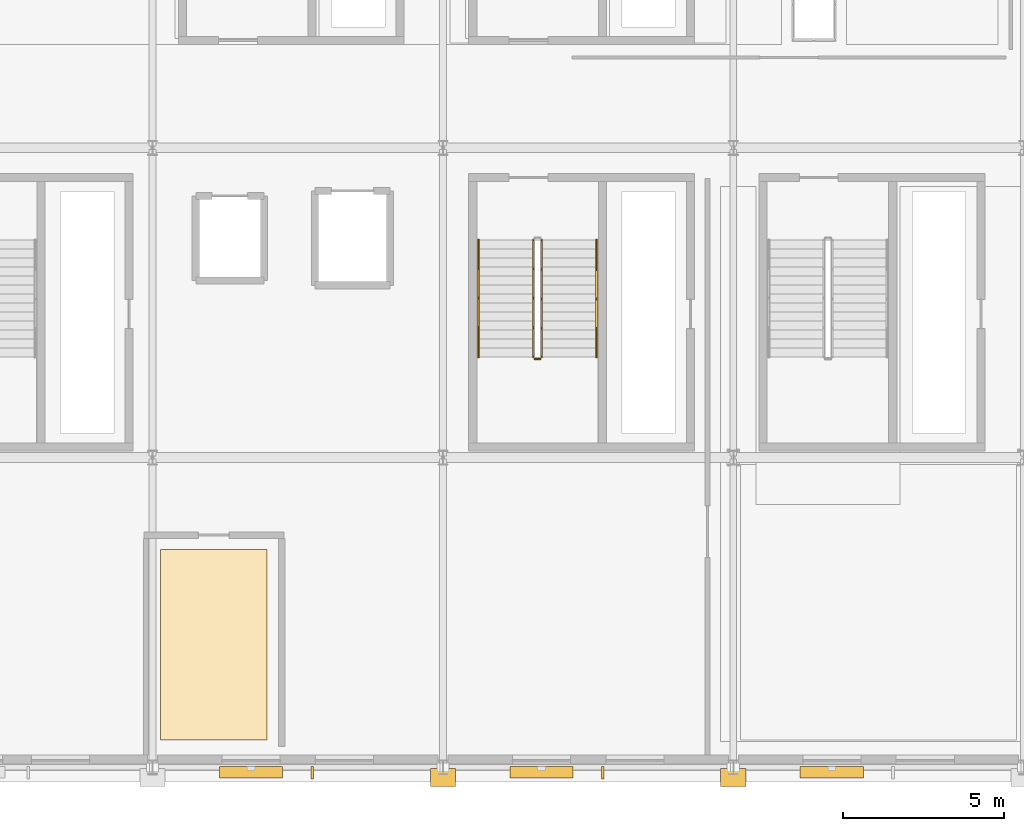
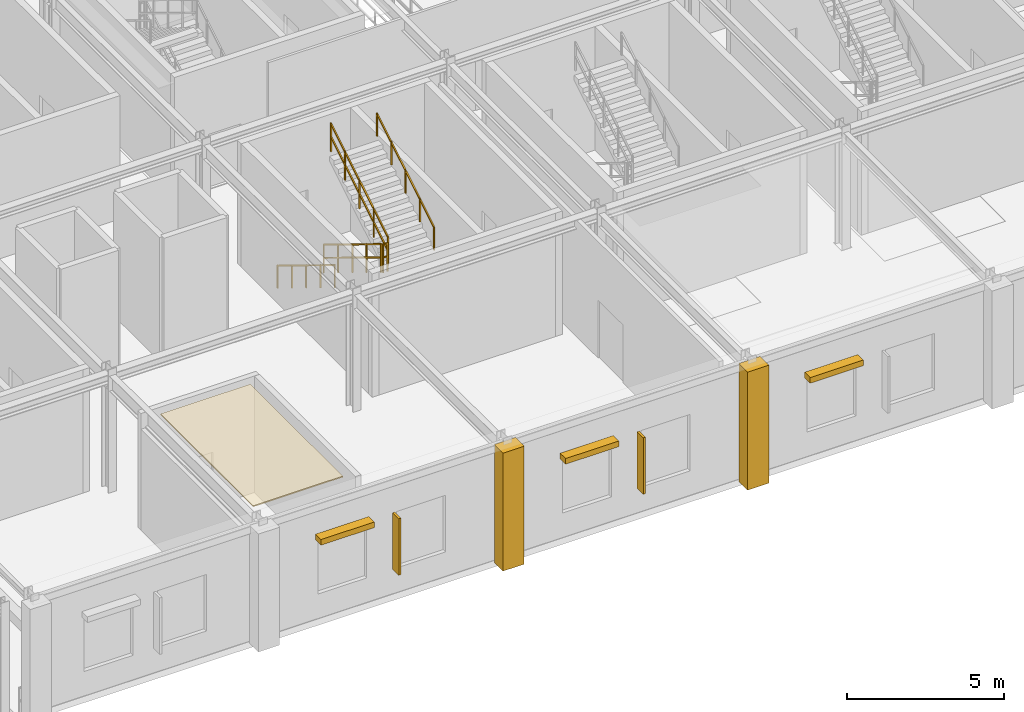
# One storey, part 110 of 125: 5 railings, 5 shading devices, 3 coverings.
"""IFC4 building model written with IfcOpenShell, lengths in metres."""

from ifc_helpers import new_model, si_unit, direction, frame, origin, origin_2d, place, context, subcontext, project, spatial, polyline, rectangle, outline, extrude, material, layer, layer_set, type_object, element, save


model = new_model("IFC4")

# Units and contexts
model_context = context("Model", 3, precision=1e-05, world=origin(), true_north=direction((0.0, 1.0)))
body_context = subcontext(model_context, "Body", "Model", "MODEL_VIEW")
ifc_project = project(units=[si_unit("LENGTHUNIT", "METRE"), si_unit("AREAUNIT", "SQUARE_METRE"), si_unit("VOLUMEUNIT", "CUBIC_METRE"), si_unit("PLANEANGLEUNIT", "RADIAN"), si_unit("MASSUNIT", "GRAM", prefix="KILO")], contexts=[model_context])

# Site, building, storey
site_placement = place(None, origin())
site = spatial("IfcSite", under=ifc_project, at=site_placement, CompositionType="ELEMENT")
building_placement = place(site_placement, origin())
building = spatial("IfcBuilding", under=site, at=building_placement, Name="Myrtia Square Station", CompositionType="ELEMENT")
storey_placement = place(building_placement, frame((0.0, 0.0, 6.0)))
storey = spatial("IfcBuildingStorey", under=building, at=storey_placement, Name="L01", CompositionType="ELEMENT", Elevation=6.0)

# Coverings
ifc_material_1 = material(Name="Pentelic marble ashlar", Category="masonry")
ifc_layer_1 = layer(ifc_material_1, 0.4599609375, Name="Pentelic marble ashlar")
ifc_layer_set_1 = layer_set([ifc_layer_1], Name="Pentelic marble ashlar")
covering_type_1 = type_object("IfcCoveringType", Name="COV-ARCH-ASHLAR", PredefinedType="CLADDING", material=ifc_layer_set_1)
for number, where, z_axis, x_axis, name in (
    (1, (135.0, -0.320068359375, -0.0400390625), (0.0, 0.0, 1.0), (1.0, 0.0, 0.0), "Classical Pentelic ashlar pilaster 020"),
    (2, (144.0, -0.320068359375, -0.0400390625), (0.0, 0.0, 1.0), (1.0, 0.0, 0.0), "Classical Pentelic ashlar pilaster 028"),
):
    element("IfcCovering", number, at=place(storey_placement, frame(where, z_axis=z_axis, x_axis=x_axis)), inside=storey, type_object=covering_type_1, Name=name, PredefinedType="CLADDING", context=body_context, shape_type="SweptSolid", body=[
        extrude(rectangle(XDim=0.780029296875, YDim=0.56005859375, at=origin_2d()), origin(), (0.0, 0.0, 1.0), 4.590087890625),
    ])
ifc_material_2 = material(Name="Acoustic European oak timber", Category="wood")
ifc_layer_2 = layer(ifc_material_2, 0.044921875, Name="Acoustic European oak timber")
ifc_layer_set_2 = layer_set([ifc_layer_2], Name="Acoustic European oak timber")
covering_type_2 = type_object("IfcCoveringType", Name="COV-CEIL-OAK", PredefinedType="CEILING", material=ifc_layer_set_2)
covering_placement = place(storey_placement, frame((0.0, 0.0, 4.5048828125)))
element("IfcCovering", 3, at=covering_placement, inside=storey, type_object=covering_type_2, Name="Acoustic coffer ceiling L01-14", PredefinedType="CEILING", context=body_context, shape_type="SweptSolid", body=[
    extrude(outline(polyline([(129.550048828125, 6.75), (129.550048828125, 0.85009765625), (126.25, 0.85009765625), (126.25, 6.75), (129.550048828125, 6.75)])), origin(), (0.0, 0.0, 1.0), 0.045166015625),
])

# Railings
ifc_material_3 = material(Name="Dark bronze anodised aluminium", Category="aluminium")
railing_type_1 = type_object("IfcRailingType", Name="RL-HANDRAIL-900", PredefinedType="HANDRAIL", material=ifc_material_3)
railing_1_placement = place(storey_placement, frame((136.10009765625, 16.35009765625, 0.17138671875)))
element("IfcRailing", 4, at=railing_1_placement, inside=storey, type_object=railing_type_1, Name="L01 ST06 stair handrail 1", PredefinedType="HANDRAIL", context=body_context, shape_type="SweptSolid", body=[
    extrude(rectangle(XDim=0.048095703125, YDim=0.048095703125, at=origin_2d()), frame((0.0, -0.029541015625, 0.89404296875), z_axis=(0.0, -0.852865859571, 0.52213008492), x_axis=(1.0, 0.0, 0.0)), (0.0, 0.0, 1.0), 0.997802734375),
    extrude(rectangle(XDim=0.048095703125, YDim=0.048095703125, at=origin_2d()), frame((0.0, -0.939697265625, 1.451171875), z_axis=(0.0, -0.852865859571, 0.52213008492), x_axis=(1.0, 0.0, 0.0)), (0.0, 0.0, 1.0), 0.997802734375),
    extrude(rectangle(XDim=0.048095703125, YDim=0.048095703125, at=origin_2d()), frame((0.0, -1.849609375, 2.00830078125), z_axis=(0.0, -0.852865859571, 0.52213008492), x_axis=(1.0, 0.0, 0.0)), (0.0, 0.0, 1.0), 0.997802734375),
    extrude(rectangle(XDim=0.048095703125, YDim=0.048095703125, at=origin_2d()), frame((0.0, -2.759765625, 2.5654296875), z_axis=(0.0, -0.852865859571, 0.52213008492), x_axis=(1.0, 0.0, 0.0)), (0.0, 0.0, 1.0), 0.997802734375),
    extrude(rectangle(XDim=0.0439453125, YDim=0.0439453125, at=origin_2d()), origin(), (0.0, 0.0, 1.0), 0.89990234375),
    extrude(rectangle(XDim=0.0439453125, YDim=0.0439453125, at=origin_2d()), frame((0.0, -0.91015625, 0.55712890625)), (0.0, 0.0, 1.0), 0.89990234375),
    extrude(rectangle(XDim=0.0439453125, YDim=0.0439453125, at=origin_2d()), frame((0.0, -1.820068359375, 1.1142578125)), (0.0, 0.0, 1.0), 0.89990234375),
    extrude(rectangle(XDim=0.0439453125, YDim=0.0439453125, at=origin_2d()), frame((0.0, -2.72998046875, 1.67138671875)), (0.0, 0.0, 1.0), 0.89990234375),
    extrude(rectangle(XDim=0.0439453125, YDim=0.0439453125, at=origin_2d()), frame((0.0, -3.64013671875, 2.228515625)), (0.0, 0.0, 1.0), 0.89990234375),
])
railing_2_placement = place(storey_placement, frame((139.760009765625, 12.7099609375, 2.571533203125)))
element("IfcRailing", 5, at=railing_2_placement, inside=storey, type_object=railing_type_1, Name="L01 ST06 stair handrail 2", PredefinedType="HANDRAIL", context=body_context, shape_type="SweptSolid", body=[
    extrude(rectangle(XDim=0.048095703125, YDim=0.048095703125, at=origin_2d()), frame((0.0, 0.029541015625, 0.89404296875), z_axis=(0.0, 0.852865859571, 0.52213008492), x_axis=(-1.0, 0.0, 0.0)), (0.0, 0.0, 1.0), 0.997802734375),
    extrude(rectangle(XDim=0.048095703125, YDim=0.048095703125, at=origin_2d()), frame((0.0, 0.939697265625, 1.451171875), z_axis=(0.0, 0.852865859571, 0.52213008492), x_axis=(-1.0, 0.0, 0.0)), (0.0, 0.0, 1.0), 0.997802734375),
    extrude(rectangle(XDim=0.048095703125, YDim=0.048095703125, at=origin_2d()), frame((0.0, 1.849609375, 2.00830078125), z_axis=(0.0, 0.852865859571, 0.52213008492), x_axis=(-1.0, 0.0, 0.0)), (0.0, 0.0, 1.0), 0.997802734375),
    extrude(rectangle(XDim=0.048095703125, YDim=0.048095703125, at=origin_2d()), frame((0.0, 2.759765625, 2.5654296875), z_axis=(0.0, 0.852865859571, 0.52213008492), x_axis=(-1.0, 0.0, 0.0)), (0.0, 0.0, 1.0), 0.997802734375),
    extrude(rectangle(XDim=0.0439453125, YDim=0.0439453125, at=origin_2d()), origin(), (0.0, 0.0, 1.0), 0.89990234375),
    extrude(rectangle(XDim=0.0439453125, YDim=0.0439453125, at=origin_2d()), frame((0.0, 0.91015625, 0.55712890625)), (0.0, 0.0, 1.0), 0.89990234375),
    extrude(rectangle(XDim=0.0439453125, YDim=0.0439453125, at=origin_2d()), frame((0.0, 1.820068359375, 1.1142578125)), (0.0, 0.0, 1.0), 0.89990234375),
    extrude(rectangle(XDim=0.0439453125, YDim=0.0439453125, at=origin_2d()), frame((0.0, 2.72998046875, 1.67138671875)), (0.0, 0.0, 1.0), 0.89990234375),
    extrude(rectangle(XDim=0.0439453125, YDim=0.0439453125, at=origin_2d()), frame((0.0, 3.64013671875, 2.228515625)), (0.0, 0.0, 1.0), 0.89990234375),
])
ifc_material_4 = material(Name="Wrought iron", Category="steel")
railing_type_2 = type_object("IfcRailingType", Name="RL-INT-GUARD-1100", PredefinedType="BALUSTRADE", material=ifc_material_4)
railing_3_placement = place(storey_placement, frame((137.800048828125, 16.35009765625, 0.17138671875)))
element("IfcRailing", 6, at=railing_3_placement, inside=storey, type_object=railing_type_2, Name="L01 ST06 stair guard 1", PredefinedType="BALUSTRADE", context=body_context, shape_type="SweptSolid", body=[
    extrude(rectangle(XDim=0.048095703125, YDim=0.048095703125, at=origin_2d()), frame((0.0, -0.029541015625, 1.1142578125), z_axis=(0.0, -0.852865859571, 0.52213008492), x_axis=(1.0, 0.0, 0.0)), (0.0, 0.0, 1.0), 0.997802734375),
    extrude(rectangle(XDim=0.048095703125, YDim=0.048095703125, at=origin_2d()), frame((0.0, -0.029541015625, 0.6005859375), z_axis=(0.0, -0.852865859571, 0.52213008492), x_axis=(1.0, 0.0, 0.0)), (0.0, 0.0, 1.0), 0.997802734375),
    extrude(rectangle(XDim=0.048095703125, YDim=0.048095703125, at=origin_2d()), frame((0.0, -0.939697265625, 1.67138671875), z_axis=(0.0, -0.852865859571, 0.52213008492), x_axis=(1.0, 0.0, 0.0)), (0.0, 0.0, 1.0), 0.997802734375),
    extrude(rectangle(XDim=0.048095703125, YDim=0.048095703125, at=origin_2d()), frame((0.0, -0.939697265625, 1.15771484375), z_axis=(0.0, -0.852865859571, 0.52213008492), x_axis=(1.0, 0.0, 0.0)), (0.0, 0.0, 1.0), 0.997802734375),
    extrude(rectangle(XDim=0.048095703125, YDim=0.048095703125, at=origin_2d()), frame((0.0, -1.849609375, 2.228515625), z_axis=(0.0, -0.852865859571, 0.52213008492), x_axis=(1.0, 0.0, 0.0)), (0.0, 0.0, 1.0), 0.997802734375),
    extrude(rectangle(XDim=0.048095703125, YDim=0.048095703125, at=origin_2d()), frame((0.0, -1.849609375, 1.71484375), z_axis=(0.0, -0.852865859571, 0.52213008492), x_axis=(1.0, 0.0, 0.0)), (0.0, 0.0, 1.0), 0.997802734375),
    extrude(rectangle(XDim=0.048095703125, YDim=0.048095703125, at=origin_2d()), frame((0.0, -2.759765625, 2.78564453125), z_axis=(0.0, -0.852865859571, 0.52213008492), x_axis=(1.0, 0.0, 0.0)), (0.0, 0.0, 1.0), 0.997802734375),
    extrude(rectangle(XDim=0.048095703125, YDim=0.048095703125, at=origin_2d()), frame((0.0, -2.759765625, 2.27197265625), z_axis=(0.0, -0.852865859571, 0.52213008492), x_axis=(1.0, 0.0, 0.0)), (0.0, 0.0, 1.0), 0.997802734375),
    extrude(rectangle(XDim=0.0439453125, YDim=0.0439453125, at=origin_2d()), origin(), (0.0, 0.0, 1.0), 1.1201171875),
    extrude(rectangle(XDim=0.0439453125, YDim=0.0439453125, at=origin_2d()), frame((0.0, -0.91015625, 0.55712890625)), (0.0, 0.0, 1.0), 1.1201171875),
    extrude(rectangle(XDim=0.0439453125, YDim=0.0439453125, at=origin_2d()), frame((0.0, -1.820068359375, 1.1142578125)), (0.0, 0.0, 1.0), 1.1201171875),
    extrude(rectangle(XDim=0.0439453125, YDim=0.0439453125, at=origin_2d()), frame((0.0, -2.72998046875, 1.67138671875)), (0.0, 0.0, 1.0), 1.1201171875),
    extrude(rectangle(XDim=0.0439453125, YDim=0.0439453125, at=origin_2d()), frame((0.0, -3.64013671875, 2.228515625)), (0.0, 0.0, 1.0), 1.1201171875),
])
railing_4_placement = place(storey_placement, frame((137.85009765625, 12.659912109375, 2.39990234375)))
element("IfcRailing", 7, at=railing_4_placement, inside=storey, type_object=railing_type_2, Name="L01 ST06 stair guard 2", PredefinedType="BALUSTRADE", context=body_context, shape_type="SweptSolid", body=[
    extrude(rectangle(XDim=0.048095703125, YDim=0.048095703125, at=origin_2d()), frame((0.03466796875, 0.0, 1.09619140625), z_axis=(1.0, 0.0, 0.0), x_axis=(0.0, 1.0, 0.0)), (0.0, 0.0, 1.0), 0.090576171875),
    extrude(rectangle(XDim=0.048095703125, YDim=0.048095703125, at=origin_2d()), frame((0.03466796875, 0.0, 0.58251953125), z_axis=(1.0, 0.0, 0.0), x_axis=(0.0, 1.0, 0.0)), (0.0, 0.0, 1.0), 0.090576171875),
    extrude(rectangle(XDim=0.0439453125, YDim=0.0439453125, at=origin_2d()), origin(), (0.0, 0.0, 1.0), 1.1201171875),
    extrude(rectangle(XDim=0.0439453125, YDim=0.0439453125, at=origin_2d()), frame((0.159912109375, 0.0, 0.0)), (0.0, 0.0, 1.0), 1.1201171875),
])
railing_5_placement = place(storey_placement, frame((138.06005859375, 12.7099609375, 2.571533203125)))
element("IfcRailing", 8, at=railing_5_placement, inside=storey, type_object=railing_type_2, Name="L01 ST06 stair guard 3", PredefinedType="BALUSTRADE", context=body_context, shape_type="SweptSolid", body=[
    extrude(rectangle(XDim=0.048095703125, YDim=0.048095703125, at=origin_2d()), frame((0.0, 0.029541015625, 1.1142578125), z_axis=(0.0, 0.852865859571, 0.52213008492), x_axis=(-1.0, 0.0, 0.0)), (0.0, 0.0, 1.0), 0.997802734375),
    extrude(rectangle(XDim=0.048095703125, YDim=0.048095703125, at=origin_2d()), frame((0.0, 0.029541015625, 0.6005859375), z_axis=(0.0, 0.852865859571, 0.52213008492), x_axis=(-1.0, 0.0, 0.0)), (0.0, 0.0, 1.0), 0.997802734375),
    extrude(rectangle(XDim=0.048095703125, YDim=0.048095703125, at=origin_2d()), frame((0.0, 0.939697265625, 1.67138671875), z_axis=(0.0, 0.852865859571, 0.52213008492), x_axis=(-1.0, 0.0, 0.0)), (0.0, 0.0, 1.0), 0.997802734375),
    extrude(rectangle(XDim=0.048095703125, YDim=0.048095703125, at=origin_2d()), frame((0.0, 0.939697265625, 1.15771484375), z_axis=(0.0, 0.852865859571, 0.52213008492), x_axis=(-1.0, 0.0, 0.0)), (0.0, 0.0, 1.0), 0.997802734375),
    extrude(rectangle(XDim=0.048095703125, YDim=0.048095703125, at=origin_2d()), frame((0.0, 1.849609375, 2.228515625), z_axis=(0.0, 0.852865859571, 0.52213008492), x_axis=(-1.0, 0.0, 0.0)), (0.0, 0.0, 1.0), 0.997802734375),
    extrude(rectangle(XDim=0.048095703125, YDim=0.048095703125, at=origin_2d()), frame((0.0, 1.849609375, 1.71484375), z_axis=(0.0, 0.852865859571, 0.52213008492), x_axis=(-1.0, 0.0, 0.0)), (0.0, 0.0, 1.0), 0.997802734375),
    extrude(rectangle(XDim=0.048095703125, YDim=0.048095703125, at=origin_2d()), frame((0.0, 2.759765625, 2.78564453125), z_axis=(0.0, 0.852865859571, 0.52213008492), x_axis=(-1.0, 0.0, 0.0)), (0.0, 0.0, 1.0), 0.997802734375),
    extrude(rectangle(XDim=0.048095703125, YDim=0.048095703125, at=origin_2d()), frame((0.0, 2.759765625, 2.27197265625), z_axis=(0.0, 0.852865859571, 0.52213008492), x_axis=(-1.0, 0.0, 0.0)), (0.0, 0.0, 1.0), 0.997802734375),
    extrude(rectangle(XDim=0.0439453125, YDim=0.0439453125, at=origin_2d()), origin(), (0.0, 0.0, 1.0), 1.1201171875),
    extrude(rectangle(XDim=0.0439453125, YDim=0.0439453125, at=origin_2d()), frame((0.0, 0.91015625, 0.55712890625)), (0.0, 0.0, 1.0), 1.1201171875),
    extrude(rectangle(XDim=0.0439453125, YDim=0.0439453125, at=origin_2d()), frame((0.0, 1.820068359375, 1.1142578125)), (0.0, 0.0, 1.0), 1.1201171875),
    extrude(rectangle(XDim=0.0439453125, YDim=0.0439453125, at=origin_2d()), frame((0.0, 2.72998046875, 1.67138671875)), (0.0, 0.0, 1.0), 1.1201171875),
    extrude(rectangle(XDim=0.0439453125, YDim=0.0439453125, at=origin_2d()), frame((0.0, 3.64013671875, 2.228515625)), (0.0, 0.0, 1.0), 1.1201171875),
])

# Shading devices
shading_device_type_1 = type_object("IfcShadingDeviceType", Name="SHD-FIN-BRONZE", PredefinedType="USERDEFINED", material=ifc_material_3)
for number, where, z_axis, x_axis, name in (
    (9, (130.947998046875, -0.169921875, 0.9501953125), (0.0, 0.0, 1.0), (1.0, 0.0, 0.0), "Vertical bronze solar fin SHF-013"),
    (10, (139.947998046875, -0.169921875, 0.9501953125), (0.0, 0.0, 1.0), (1.0, 0.0, 0.0), "Vertical bronze solar fin SHF-014"),
):
    element("IfcShadingDevice", number, at=place(storey_placement, frame(where, z_axis=z_axis, x_axis=x_axis)), inside=storey, type_object=shading_device_type_1, Name=name, ObjectType="FIN", PredefinedType="USERDEFINED", context=body_context, shape_type="SweptSolid", body=[
        extrude(rectangle(XDim=0.080078125, YDim=0.389892578125, at=origin_2d()), origin(), (0.0, 0.0, 1.0), 2.199951171875),
    ])
shading_device_type_2 = type_object("IfcShadingDeviceType", Name="SHD-JALOUSIE-BRONZE", PredefinedType="JALOUSIE", material=ifc_material_3)
for number, where, z_axis, x_axis, name in (
    (11, (129.052001953125, -0.14990234375, 3.08984375), (0.0, 0.0, 1.0), (1.0, 0.0, 0.0), "Mediterranean bronze solar louvre SHL-013"),
    (12, (138.052001953125, -0.14990234375, 3.08984375), (0.0, 0.0, 1.0), (1.0, 0.0, 0.0), "Mediterranean bronze solar louvre SHL-014"),
    (13, (147.052001953125, -0.14990234375, 3.08984375), (0.0, 0.0, 1.0), (1.0, 0.0, 0.0), "Mediterranean bronze solar louvre SHL-015"),
):
    element("IfcShadingDevice", number, at=place(storey_placement, frame(where, z_axis=z_axis, x_axis=x_axis)), inside=storey, type_object=shading_device_type_2, Name=name, PredefinedType="JALOUSIE", context=body_context, shape_type="SweptSolid", body=[
        extrude(rectangle(XDim=1.9599609375, YDim=0.35009765625, at=origin_2d()), origin(), (0.0, 0.0, 1.0), 0.219970703125),
    ])

save(model, "model.ifc")
